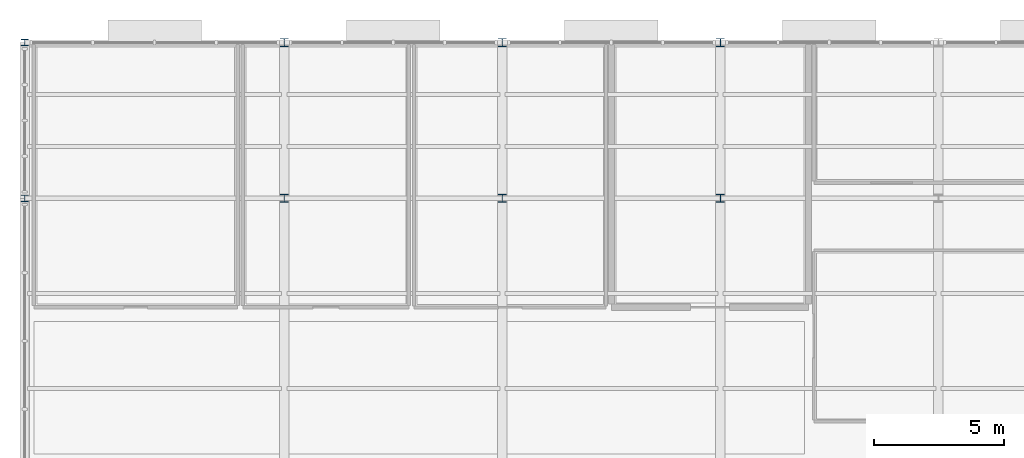
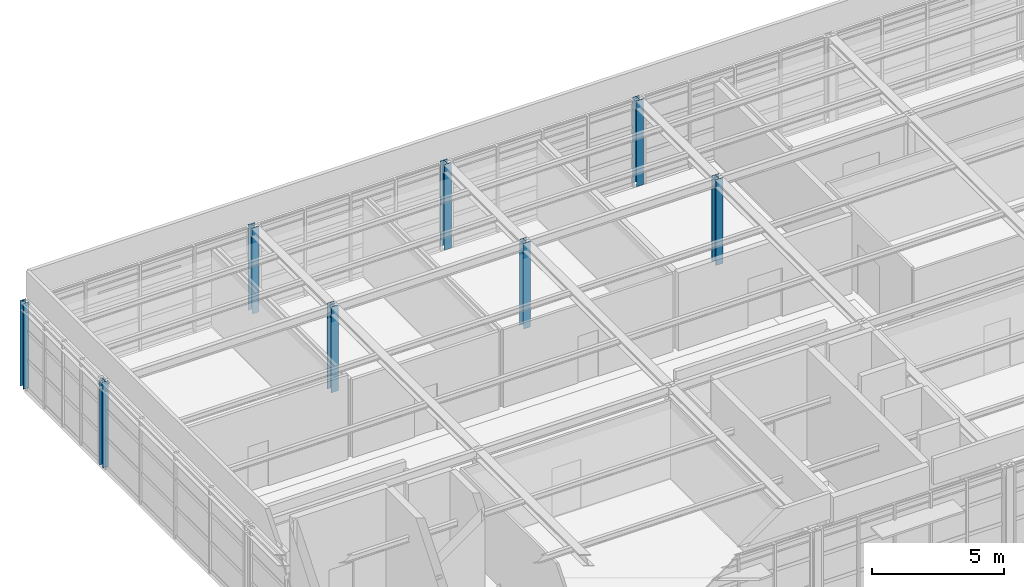
# One storey, part 2 of 18: 8 columns.
"""IFC4 building model written with IfcOpenShell, lengths in metres."""

from ifc_helpers import new_model, si_unit, direction, frame, origin, origin_2d, place, context, subcontext, project, spatial, i_section, extrude, material, material_profile, profile_set, type_object, element, save


model = new_model("IFC4")

# Units and contexts
model_context = context("Model", 3, precision=1e-05, world=origin(), true_north=direction((0.0, 1.0)))
body_context = subcontext(model_context, "Body", "Model", "MODEL_VIEW")
ifc_project = project(units=[si_unit("LENGTHUNIT", "METRE"), si_unit("AREAUNIT", "SQUARE_METRE"), si_unit("VOLUMEUNIT", "CUBIC_METRE"), si_unit("PLANEANGLEUNIT", "RADIAN"), si_unit("MASSUNIT", "GRAM", prefix="KILO")], contexts=[model_context])

# Site, building, storey
site_placement = place(None, origin())
site = spatial("IfcSite", under=ifc_project, at=site_placement, CompositionType="ELEMENT")
building_placement = place(site_placement, origin())
building = spatial("IfcBuilding", under=site, at=building_placement, Name="Sitalva Quay Ferry Terminal", CompositionType="ELEMENT")
storey_placement = place(building_placement, frame((0.0, 0.0, 18.60009765625)))
storey = spatial("IfcBuildingStorey", under=building, at=storey_placement, Name="L05", CompositionType="ELEMENT", Elevation=18.60009765625)

# Columns
ifc_material_1 = material(Name="Structural Steel S355JR", Category="steel")
ifc_material_profile_1 = material_profile(ifc_material_1, i_section(OverallWidth=0.25390625, OverallDepth=0.2529296875, WebThickness=0.008544921875, FlangeThickness=0.01416015625, FilletRadius=0.011962890625, at=origin_2d()), Name="W250x73")
ifc_profile_set_1 = profile_set([ifc_material_profile_1], Name="Structural Steel S355JR")
column_type_1 = type_object("IfcColumnType", Name="Col_W250x73", PredefinedType="COLUMN", material=ifc_profile_set_1)
for number, where, z_axis, x_axis, name in (
    (1, (74.0, 100.0, 0.0), (0.0, 0.0, 1.0), (1.0, 0.0, 0.0), "L05 column 10L"),
    (2, (74.0, 106.0, 0.0), (0.0, 0.0, 1.0), (1.0, 0.0, 0.0), "L05 column 10M"),
):
    element("IfcColumn", number, at=place(storey_placement, frame(where, z_axis=z_axis, x_axis=x_axis)), inside=storey, type_object=column_type_1, Name=name, PredefinedType="COLUMN", context=body_context, shape_type="SweptSolid", body=[
        extrude(i_section(OverallWidth=0.25390625, OverallDepth=0.2529296875, WebThickness=0.008544921875, FlangeThickness=0.01416015625, FilletRadius=0.011962890625, at=origin_2d()), origin(), (0.0, 0.0, 1.0), 3.9599609375),
    ])
ifc_material_2 = material(Name="Structural Steel S355JR", Category="steel")
ifc_material_profile_2 = material_profile(ifc_material_2, i_section(OverallWidth=0.305908203125, OverallDepth=0.31103515625, WebThickness=0.010986328125, FlangeThickness=0.01708984375, FilletRadius=0.014892578125, at=origin_2d()), Name="W310x107")
ifc_profile_set_2 = profile_set([ifc_material_profile_2], Name="Structural Steel S355JR")
column_type_2 = type_object("IfcColumnType", Name="Col_W310x107", PredefinedType="COLUMN", material=ifc_profile_set_2)
for number, where, z_axis, x_axis, name in (
    (3, (84.0, 100.0, 0.0), (0.0, 0.0, 1.0), (1.0, 0.0, 0.0), "L05 column 11L"),
    (4, (92.39990234375, 100.0, 0.0), (0.0, 0.0, 1.0), (1.0, 0.0, 0.0), "L05 column 12L"),
    (5, (100.800048828125, 100.0, 0.0), (0.0, 0.0, 1.0), (1.0, 0.0, 0.0), "L05 column 13L"),
    (6, (84.0, 106.0, 0.0), (0.0, 0.0, 1.0), (1.0, 0.0, 0.0), "L05 column 11M"),
    (7, (92.39990234375, 106.0, 0.0), (0.0, 0.0, 1.0), (1.0, 0.0, 0.0), "L05 column 12M"),
    (8, (100.800048828125, 106.0, 0.0), (0.0, 0.0, 1.0), (1.0, 0.0, 0.0), "L05 column 13M"),
):
    element("IfcColumn", number, at=place(storey_placement, frame(where, z_axis=z_axis, x_axis=x_axis)), inside=storey, type_object=column_type_2, Name=name, PredefinedType="COLUMN", context=body_context, shape_type="SweptSolid", body=[
        extrude(i_section(OverallWidth=0.305908203125, OverallDepth=0.31103515625, WebThickness=0.010986328125, FlangeThickness=0.01708984375, FilletRadius=0.014892578125, at=origin_2d()), origin(), (0.0, 0.0, 1.0), 3.9599609375),
    ])

save(model, "model.ifc")
